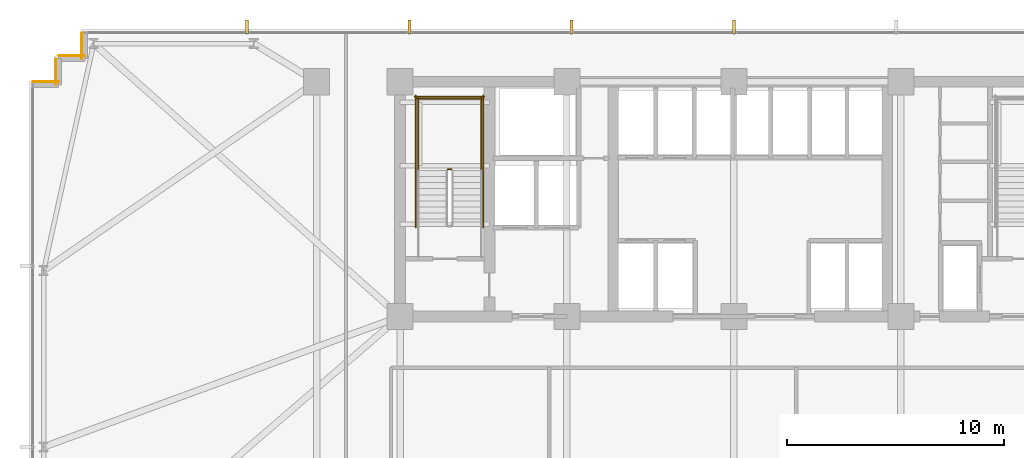
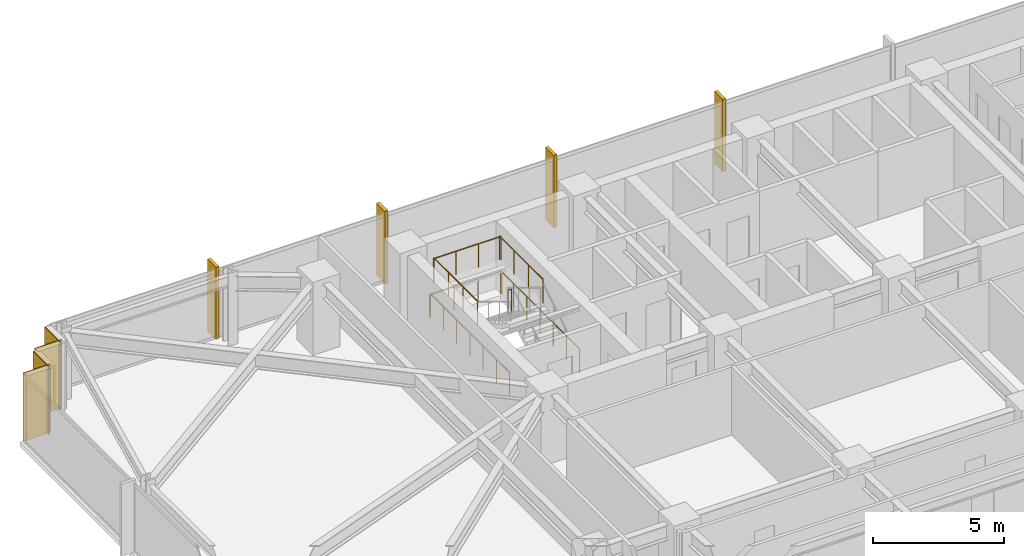
# One storey, part 30 of 32: 7 railings, 4 coverings, 4 shading devices.
"""IFC4 building model written with IfcOpenShell, lengths in metres."""

from ifc_helpers import new_model, si_unit, direction, frame, frame_2d, origin, origin_2d, place, context, subcontext, project, spatial, rectangle, circle, extrude, material, layer, layer_set, type_object, element, save


model = new_model("IFC4")

# Units and contexts
model_context = context("Model", 3, precision=1e-05, world=origin(), true_north=direction((0.0, 1.0)))
body_context = subcontext(model_context, "Body", "Model", "MODEL_VIEW")
ifc_project = project(units=[si_unit("LENGTHUNIT", "METRE"), si_unit("AREAUNIT", "SQUARE_METRE"), si_unit("VOLUMEUNIT", "CUBIC_METRE"), si_unit("PLANEANGLEUNIT", "RADIAN"), si_unit("MASSUNIT", "GRAM", prefix="KILO")], contexts=[model_context])

# Site, building, storey
site_placement = place(None, origin())
site = spatial("IfcSite", under=ifc_project, at=site_placement, CompositionType="ELEMENT")
building_placement = place(site_placement, origin())
building = spatial("IfcBuilding", under=site, at=building_placement, Name="Yelkora Congress Tower", CompositionType="ELEMENT")
storey_placement = place(building_placement, frame((0.0, 0.0, 50.800048828125)))
storey = spatial("IfcBuildingStorey", under=building, at=storey_placement, Name="L12", CompositionType="ELEMENT", Elevation=50.800048828125)

# Coverings
ifc_material_1 = material(Name="Anatolian bush-hammered limestone", Category="masonry")
ifc_layer_1 = layer(ifc_material_1, 0.0400390625)
ifc_layer_set_1 = layer_set([ifc_layer_1], Name="Anatolian bush-hammered limestone")
covering_type = type_object("IfcCoveringType", Name="COV-CLAD-SPANDREL-40", PredefinedType="CLADDING", material=ifc_layer_set_1)
covering_placement = place(storey_placement, frame((6.139892578125, 46.195068359375, 0.0), z_axis=(0.0, 0.0, 1.0), x_axis=(1.0, 0.0, 0.0)))
element("IfcCovering", 1, at=covering_placement, inside=storey, type_object=covering_type, Name="L12 Anatolian Limestone Cladding EW-L12-SR06", PredefinedType="CLADDING", context=body_context, shape_type="SweptSolid", body=[
    extrude(rectangle(XDim=1.2001953125, YDim=0.0400390625, at=frame_2d((0.60009765625, 0.0))), origin(), (0.0, 0.0, 1.0), 3.179931640625),
])
for number, where, z_axis, x_axis, name in (
    (2, (7.205078125, 46.06005859375, 0.0), (0.0, 0.0, 1.0), (0.0, 1.0, 0.0), "L12 Anatolian Limestone Cladding EW-L12-SR07"),
    (3, (7.340087890625, 47.39501953125, 0.0), (0.0, 0.0, 1.0), (1.0, 0.0, 0.0), "L12 Anatolian Limestone Cladding EW-L12-SR08"),
    (4, (8.405029296875, 47.260009765625, 0.0), (0.0, 0.0, 1.0), (0.0, 1.0, 0.0), "L12 Anatolian Limestone Cladding EW-L12-SR09"),
):
    element("IfcCovering", number, at=place(storey_placement, frame(where, z_axis=z_axis, x_axis=x_axis)), inside=storey, type_object=covering_type, Name=name, PredefinedType="CLADDING", context=body_context, shape_type="SweptSolid", body=[
        extrude(rectangle(XDim=1.199951171875, YDim=0.0400390625, at=frame_2d((0.60009765625, 0.0))), origin(), (0.0, 0.0, 1.0), 3.179931640625),
    ])

# Railings
ifc_material_2 = material(Name="Painted galvanised steel stair well guard with vertical infill", Category="steel")
ifc_layer_2 = layer(ifc_material_2, 0.06005859375)
ifc_layer_set_2 = layer_set([ifc_layer_2], Name="Painted galvanised steel stair well guard with vertical infill")
railing_type = type_object("IfcRailingType", Name="RAIL-STAIR-GUARD-1120", PredefinedType="GUARDRAIL", material=ifc_layer_set_2)
railing_1_placement = place(storey_placement, frame((25.39990234375, 42.169921875, 1.699951171875)))
element("IfcRailing", 5, at=railing_1_placement, inside=storey, type_object=railing_type, Name="ST-01 L12 Stair Well Guardrail 2", PredefinedType="GUARDRAIL", context=body_context, shape_type="SweptSolid", body=[
    extrude(circle(Radius=0.02392578125, at=origin_2d()), frame((0.0, 0.0, 1.09619140625), z_axis=(-1.0, 0.0, 0.0), x_axis=(0.0, -1.0, 0.0)), (0.0, 0.0, 1.0), 0.159912109375),
    extrude(circle(Radius=0.02099609375, at=origin_2d()), origin(), (0.0, 0.0, 1.0), 1.072021484375),
    extrude(circle(Radius=0.02099609375, at=origin_2d()), frame((-0.159912109375, 0.0, 0.0)), (0.0, 0.0, 1.0), 1.072021484375),
])
for number, where, name in (
    (6, (26.77001953125, 42.1201171875, 1.699951171875), "ST-01 L12 Stair Well Guardrail 3"),
    (7, (23.8701171875, 42.1201171875, 1.699951171875), "ST-01 L12 Stair Well Guardrail 4"),
):
    element("IfcRailing", number, at=place(storey_placement, frame(where)), inside=storey, type_object=railing_type, Name=name, PredefinedType="GUARDRAIL", context=body_context, shape_type="SweptSolid", body=[
        extrude(circle(Radius=0.02392578125, at=origin_2d()), frame((0.0, 0.0, 1.09619140625), z_axis=(0.0, 1.0, 0.0), x_axis=(-1.0, 0.0, 0.0)), (0.0, 0.0, 1.0), 3.349853515625),
        extrude(circle(Radius=0.02099609375, at=origin_2d()), origin(), (0.0, 0.0, 1.0), 1.072021484375),
        extrude(circle(Radius=0.02099609375, at=origin_2d()), frame((0.0, 1.11669921875, 0.0)), (0.0, 0.0, 1.0), 1.072021484375),
        extrude(circle(Radius=0.02099609375, at=origin_2d()), frame((0.0, 2.233154296875, 0.0)), (0.0, 0.0, 1.0), 1.072021484375),
        extrude(circle(Radius=0.02099609375, at=origin_2d()), frame((0.0, 3.349853515625, 0.0)), (0.0, 0.0, 1.0), 1.072021484375),
    ])
railing_2_placement = place(storey_placement, frame((26.820068359375, 45.419921875, 1.699951171875)))
element("IfcRailing", 8, at=railing_2_placement, inside=storey, type_object=railing_type, Name="ST-01 L12 Stair Well Guardrail 5", PredefinedType="GUARDRAIL", context=body_context, shape_type="SweptSolid", body=[
    extrude(circle(Radius=0.02392578125, at=origin_2d()), frame((0.0, 0.0, 1.09619140625), z_axis=(-1.0, 0.0, 0.0), x_axis=(0.0, -1.0, 0.0)), (0.0, 0.0, 1.0), 3.0),
    extrude(circle(Radius=0.02099609375, at=origin_2d()), origin(), (0.0, 0.0, 1.0), 1.072021484375),
    extrude(circle(Radius=0.02099609375, at=origin_2d()), frame((-1.0, 0.0, 0.0)), (0.0, 0.0, 1.0), 1.072021484375),
    extrude(circle(Radius=0.02099609375, at=origin_2d()), frame((-2.0, 0.0, 0.0)), (0.0, 0.0, 1.0), 1.072021484375),
    extrude(circle(Radius=0.02099609375, at=origin_2d()), frame((-3.0, 0.0, 0.0)), (0.0, 0.0, 1.0), 1.072021484375),
])
for number, where, name in (
    (9, (26.8701171875, 39.5, 0.0), "ST-01 L12 Stair Well Guardrail 10"),
    (10, (23.77001953125, 39.5, 0.0), "ST-01 L12 Stair Well Guardrail 11"),
):
    element("IfcRailing", number, at=place(storey_placement, frame(where)), inside=storey, type_object=railing_type, Name=name, PredefinedType="GUARDRAIL", context=body_context, shape_type="SweptSolid", body=[
        extrude(circle(Radius=0.02392578125, at=origin_2d()), frame((0.0, 0.0, 1.09619140625), z_axis=(0.0, 1.0, 0.0), x_axis=(-1.0, 0.0, 0.0)), (0.0, 0.0, 1.0), 6.070068359375),
        extrude(circle(Radius=0.02099609375, at=origin_2d()), origin(), (0.0, 0.0, 1.0), 1.072021484375),
        extrude(circle(Radius=0.02099609375, at=origin_2d()), frame((0.0, 1.01171875, 0.0)), (0.0, 0.0, 1.0), 1.072021484375),
        extrude(circle(Radius=0.02099609375, at=origin_2d()), frame((0.0, 2.0234375, 0.0)), (0.0, 0.0, 1.0), 1.072021484375),
        extrude(circle(Radius=0.02099609375, at=origin_2d()), frame((0.0, 3.03515625, 0.0)), (0.0, 0.0, 1.0), 1.072021484375),
        extrude(circle(Radius=0.02099609375, at=origin_2d()), frame((0.0, 4.046630859375, 0.0)), (0.0, 0.0, 1.0), 1.072021484375),
        extrude(circle(Radius=0.02099609375, at=origin_2d()), frame((0.0, 5.058349609375, 0.0)), (0.0, 0.0, 1.0), 1.072021484375),
        extrude(circle(Radius=0.02099609375, at=origin_2d()), frame((0.0, 6.070068359375, 0.0)), (0.0, 0.0, 1.0), 1.072021484375),
    ])
railing_3_placement = place(storey_placement, frame((26.919921875, 45.52001953125, 0.0)))
element("IfcRailing", 11, at=railing_3_placement, inside=storey, type_object=railing_type, Name="ST-01 L12 Stair Well Guardrail 12", PredefinedType="GUARDRAIL", context=body_context, shape_type="SweptSolid", body=[
    extrude(circle(Radius=0.02392578125, at=origin_2d()), frame((0.0, 0.0, 1.09619140625), z_axis=(-1.0, 0.0, 0.0), x_axis=(0.0, -1.0, 0.0)), (0.0, 0.0, 1.0), 3.199951171875),
    extrude(circle(Radius=0.02099609375, at=origin_2d()), origin(), (0.0, 0.0, 1.0), 1.072021484375),
    extrude(circle(Radius=0.02099609375, at=origin_2d()), frame((-1.066650390625, 0.0, 0.0)), (0.0, 0.0, 1.0), 1.072021484375),
    extrude(circle(Radius=0.02099609375, at=origin_2d()), frame((-2.13330078125, 0.0, 0.0)), (0.0, 0.0, 1.0), 1.072021484375),
    extrude(circle(Radius=0.02099609375, at=origin_2d()), frame((-3.199951171875, 0.0, 0.0)), (0.0, 0.0, 1.0), 1.072021484375),
])

# Shading devices
ifc_material_3 = material(Name="Champagne anodised aluminium", Category="aluminium")
ifc_layer_3 = layer(ifc_material_3, 3.39990234375)
ifc_layer_set_3 = layer_set([ifc_layer_3], Name="Champagne anodised aluminium")
shading_device_type = type_object("IfcShadingDeviceType", Name="SHD-FIN-ALU-640", PredefinedType="USERDEFINED", material=ifc_layer_set_3)
for number, where, z_axis, x_axis, name in (
    (12, (16.0048828125, 48.719970703125, -0.030029296875), (0.0, 0.0, 1.0), (1.0, 0.0, 0.0), "L12 Vertical Anodised Solar Fin 10-1"),
    (13, (23.469970703125, 48.719970703125, -0.030029296875), (0.0, 0.0, 1.0), (1.0, 0.0, 0.0), "L12 Vertical Anodised Solar Fin 10-2"),
    (14, (30.93505859375, 48.719970703125, -0.030029296875), (0.0, 0.0, 1.0), (1.0, 0.0, 0.0), "L12 Vertical Anodised Solar Fin 10-3"),
    (15, (38.39990234375, 48.719970703125, -0.030029296875), (0.0, 0.0, 1.0), (1.0, 0.0, 0.0), "L12 Vertical Anodised Solar Fin 10-4"),
):
    element("IfcShadingDevice", number, at=place(storey_placement, frame(where, z_axis=z_axis, x_axis=x_axis)), inside=storey, type_object=shading_device_type, Name=name, ObjectType="FIN", PredefinedType="USERDEFINED", context=body_context, shape_type="SweptSolid", body=[
        extrude(rectangle(XDim=0.139892578125, YDim=0.639892578125, at=origin_2d()), origin(), (0.0, 0.0, 1.0), 3.3798828125),
    ])

save(model, "model.ifc")
